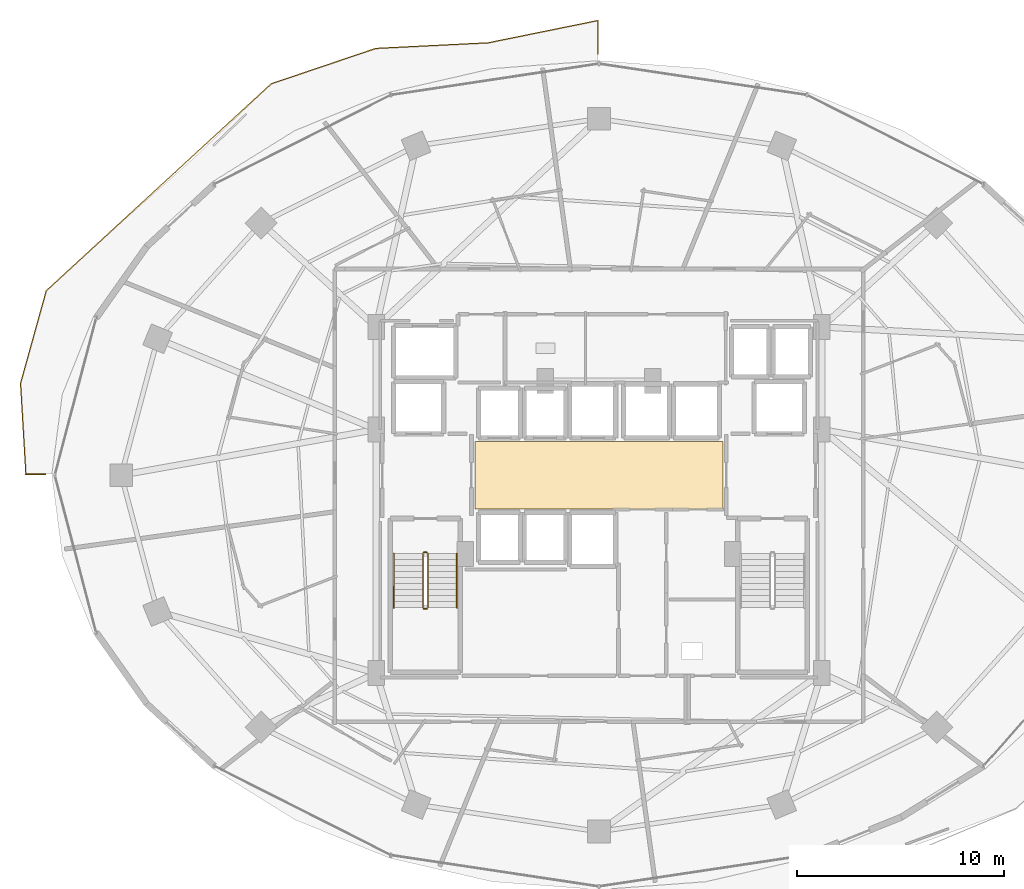
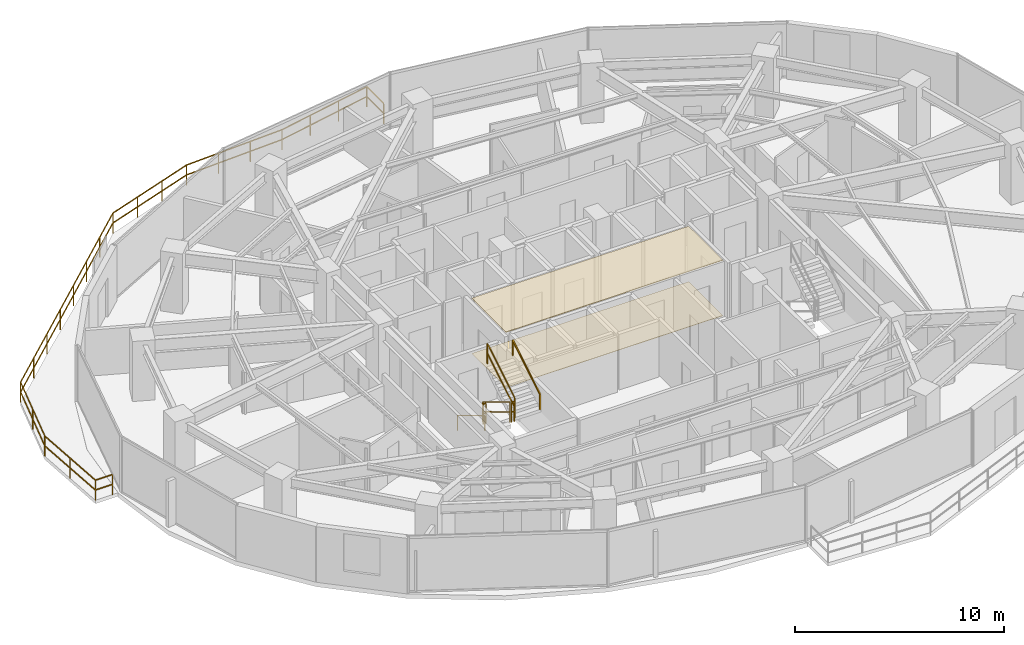
# One storey, part 27 of 30: 8 railings, 2 coverings.
"""IFC4 building model written with IfcOpenShell, lengths in metres."""

from ifc_helpers import new_model, si_unit, direction, frame, origin, origin_2d, place, context, subcontext, project, spatial, polyline, rectangle, outline, extrude, material, layer, layer_set, type_object, element, save


model = new_model("IFC4")

# Units and contexts
model_context = context("Model", 3, precision=1e-05, world=origin(), true_north=direction((0.0, 1.0)))
body_context = subcontext(model_context, "Body", "Model", "MODEL_VIEW")
ifc_project = project(units=[si_unit("LENGTHUNIT", "METRE"), si_unit("AREAUNIT", "SQUARE_METRE"), si_unit("VOLUMEUNIT", "CUBIC_METRE"), si_unit("PLANEANGLEUNIT", "RADIAN"), si_unit("MASSUNIT", "GRAM", prefix="KILO")], contexts=[model_context])

# Site, building, storey
site_placement = place(None, origin())
site = spatial("IfcSite", under=ifc_project, at=site_placement, CompositionType="ELEMENT")
building_placement = place(site_placement, origin())
building = spatial("IfcBuilding", under=site, at=building_placement, Name="Vorneva Point Tower", CompositionType="ELEMENT")
storey_placement = place(building_placement, frame((0.0, 0.0, 92.800048828125)))
storey = spatial("IfcBuildingStorey", under=building, at=storey_placement, Name="L24", CompositionType="ELEMENT", Elevation=92.800048828125)

# Coverings
ifc_material_1 = material(Name="Perforated acoustic aluminium baffle ceiling", Category="aluminium")
ifc_layer_1 = layer(ifc_material_1, 0.030029296875)
ifc_layer_set_1 = layer_set([ifc_layer_1], Name="Perforated acoustic aluminium baffle ceiling")
covering_type_1 = type_object("IfcCoveringType", Name="COV-CEIL-BAF", PredefinedType="CEILING", material=ifc_layer_set_1)
covering_1_placement = place(storey_placement, frame((0.0, 0.0, 3.2099609375)))
element("IfcCovering", 1, at=covering_1_placement, inside=storey, type_object=covering_type_1, Name="L24 Lift Lobby Acoustic Baffle Ceiling", PredefinedType="CEILING", context=body_context, shape_type="SweptSolid", body=[
    extrude(outline(polyline([(32.02001953125, 24.3701171875), (43.97998046875, 24.3701171875), (43.97998046875, 27.6298828125), (32.02001953125, 27.6298828125), (32.02001953125, 24.3701171875)])), origin(), (0.0, 0.0, 1.0), 0.034912109375),
])
ifc_material_2 = material(Name="Acoustic wool hospitality carpet", Category="textile")
ifc_layer_2 = layer(ifc_material_2, 0.01806640625)
ifc_layer_set_2 = layer_set([ifc_layer_2], Name="Acoustic wool hospitality carpet")
covering_type_2 = type_object("IfcCoveringType", Name="COV-FLR-CRP", PredefinedType="FLOORING", material=ifc_layer_set_2)
covering_2_placement = place(storey_placement, frame((0.0, 0.0, -0.005126953125)))
element("IfcCovering", 2, at=covering_2_placement, inside=storey, type_object=covering_type_2, Name="L24 Lift Lobby Floor Finish", PredefinedType="FLOORING", context=body_context, shape_type="SweptSolid", body=[
    extrude(outline(polyline([(32.02001953125, 24.3701171875), (43.97998046875, 24.3701171875), (43.97998046875, 27.6298828125), (32.02001953125, 27.6298828125), (32.02001953125, 24.3701171875)])), origin(), (0.0, 0.0, 1.0), 0.023193359375),
])

# Railings
ifc_material_3 = material(Name="Pale anodised aluminium", Category="aluminium")
railing_type_1 = type_object("IfcRailingType", Name="RL-BAL-1200", PredefinedType="BALUSTRADE", material=ifc_material_3)
railing_1_placement = place(storey_placement, frame((10.34716796875, 26.050048828125, 0.0)))
element("IfcRailing", 3, at=railing_1_placement, inside=storey, type_object=railing_type_1, Name="L24 Wave Balcony Balustrade NW.1", PredefinedType="BALUSTRADE", context=body_context, shape_type="SweptSolid", body=[
    extrude(rectangle(XDim=0.048095703125, YDim=0.048095703125, at=origin_2d()), frame((0.0, 0.0, 1.17578125), z_axis=(1.0, 0.0, 0.0), x_axis=(0.0, 1.0, 0.0)), (0.0, 0.0, 1.0), 0.9365234375),
    extrude(rectangle(XDim=0.048095703125, YDim=0.048095703125, at=origin_2d()), frame((0.0, 0.0, 0.60009765625), z_axis=(1.0, 0.0, 0.0), x_axis=(0.0, 1.0, 0.0)), (0.0, 0.0, 1.0), 0.9365234375),
    extrude(rectangle(XDim=0.0419921875, YDim=0.0419921875, at=origin_2d()), origin(), (0.0, 0.0, 1.0), 1.15185546875),
    extrude(rectangle(XDim=0.0419921875, YDim=0.0419921875, at=origin_2d()), frame((0.9365234375, 0.0, 0.0)), (0.0, 0.0, 1.0), 1.15185546875),
])
railing_2_placement = place(storey_placement, frame((37.949951171875, 46.317138671875, 0.0)))
element("IfcRailing", 4, at=railing_2_placement, inside=storey, type_object=railing_type_1, Name="L24 Wave Balcony Balustrade NW.2", PredefinedType="BALUSTRADE", context=body_context, shape_type="SweptSolid", body=[
    extrude(rectangle(XDim=0.048095703125, YDim=0.048095703125, at=origin_2d()), frame((0.0, 0.0, 1.17578125), z_axis=(0.0, 1.0, 0.0), x_axis=(-1.0, 0.0, 0.0)), (0.0, 0.0, 1.0), 1.62255859375),
    extrude(rectangle(XDim=0.048095703125, YDim=0.048095703125, at=origin_2d()), frame((0.0, 0.0, 0.60009765625), z_axis=(0.0, 1.0, 0.0), x_axis=(-1.0, 0.0, 0.0)), (0.0, 0.0, 1.0), 1.62255859375),
    extrude(rectangle(XDim=0.048095703125, YDim=0.048095703125, at=origin_2d()), frame((0.0, 1.62255859375, 1.17578125), z_axis=(-0.97997049327, -0.199142743578, 0.0), x_axis=(0.199142743578, -0.97997049327, 0.0)), (0.0, 0.0, 1.0), 5.396728515625),
    extrude(rectangle(XDim=0.048095703125, YDim=0.048095703125, at=origin_2d()), frame((0.0, 1.62255859375, 0.60009765625), z_axis=(-0.97997049327, -0.199142743578, 0.0), x_axis=(0.199142743578, -0.97997049327, 0.0)), (0.0, 0.0, 1.0), 5.396728515625),
    extrude(rectangle(XDim=0.048095703125, YDim=0.048095703125, at=origin_2d()), frame((-5.28857421875, 0.5478515625, 1.17578125), z_axis=(-0.998753906669, -0.049906251251, 0.0), x_axis=(0.049906251251, -0.998753906669, 0.0)), (0.0, 0.0, 1.0), 5.43505859375),
    extrude(rectangle(XDim=0.048095703125, YDim=0.048095703125, at=origin_2d()), frame((-5.28857421875, 0.5478515625, 0.60009765625), z_axis=(-0.998753906669, -0.049906251251, 0.0), x_axis=(0.049906251251, -0.998753906669, 0.0)), (0.0, 0.0, 1.0), 5.43505859375),
    extrude(rectangle(XDim=0.048095703125, YDim=0.048095703125, at=origin_2d()), frame((-10.716796875, 0.276611328125, 1.17578125), z_axis=(-0.947317253015, -0.320296771979, 0.0), x_axis=(0.320296771979, -0.947317253015, 0.0)), (0.0, 0.0, 1.0), 5.32421875),
    extrude(rectangle(XDim=0.048095703125, YDim=0.048095703125, at=origin_2d()), frame((-10.716796875, 0.276611328125, 0.60009765625), z_axis=(-0.947317253015, -0.320296771979, 0.0), x_axis=(0.320296771979, -0.947317253015, 0.0)), (0.0, 0.0, 1.0), 5.32421875),
    extrude(rectangle(XDim=0.048095703125, YDim=0.048095703125, at=origin_2d()), frame((-15.760498046875, -1.4287109375, 1.17578125), z_axis=(-0.735947501629, -0.677038606614, 0.0), x_axis=(0.677038606614, -0.735947501629, 0.0)), (0.0, 0.0, 1.0), 14.75390625),
    extrude(rectangle(XDim=0.048095703125, YDim=0.048095703125, at=origin_2d()), frame((-15.760498046875, -1.4287109375, 0.60009765625), z_axis=(-0.735947501629, -0.677038606614, 0.0), x_axis=(0.677038606614, -0.735947501629, 0.0)), (0.0, 0.0, 1.0), 14.75390625),
    extrude(rectangle(XDim=0.048095703125, YDim=0.048095703125, at=origin_2d()), frame((-26.61865234375, -11.417724609375, 1.17578125), z_axis=(-0.267871946418, -0.963454524263, 0.0), x_axis=(0.963454524263, -0.267871946418, 0.0)), (0.0, 0.0, 1.0), 4.63720703125),
    extrude(rectangle(XDim=0.048095703125, YDim=0.048095703125, at=origin_2d()), frame((-26.61865234375, -11.417724609375, 0.60009765625), z_axis=(-0.267871946418, -0.963454524263, 0.0), x_axis=(0.963454524263, -0.267871946418, 0.0)), (0.0, 0.0, 1.0), 4.63720703125),
    extrude(rectangle(XDim=0.048095703125, YDim=0.048095703125, at=origin_2d()), frame((-27.86083984375, -15.885498046875, 1.17578125), z_axis=(0.058793756589, -0.998270150904, 0.0), x_axis=(0.998270150904, 0.058793756589, 0.0)), (0.0, 0.0, 1.0), 4.38916015625),
    extrude(rectangle(XDim=0.048095703125, YDim=0.048095703125, at=origin_2d()), frame((-27.86083984375, -15.885498046875, 0.60009765625), z_axis=(0.058793756589, -0.998270150904, 0.0), x_axis=(0.998270150904, 0.058793756589, 0.0)), (0.0, 0.0, 1.0), 4.38916015625),
    extrude(rectangle(XDim=0.0419921875, YDim=0.0419921875, at=origin_2d()), origin(), (0.0, 0.0, 1.0), 1.15185546875),
    extrude(rectangle(XDim=0.0419921875, YDim=0.0419921875, at=origin_2d()), frame((0.0, 1.62255859375, 0.0)), (0.0, 0.0, 1.0), 1.15185546875),
    extrude(rectangle(XDim=0.0419921875, YDim=0.0419921875, at=origin_2d()), frame((-1.762939453125, 1.264404296875, 0.0)), (0.0, 0.0, 1.0), 1.15185546875),
    extrude(rectangle(XDim=0.0419921875, YDim=0.0419921875, at=origin_2d()), frame((-3.525634765625, 0.906005859375, 0.0)), (0.0, 0.0, 1.0), 1.15185546875),
    extrude(rectangle(XDim=0.0419921875, YDim=0.0419921875, at=origin_2d()), frame((-5.28857421875, 0.5478515625, 0.0)), (0.0, 0.0, 1.0), 1.15185546875),
    extrude(rectangle(XDim=0.0419921875, YDim=0.0419921875, at=origin_2d()), frame((-7.097900390625, 0.45751953125, 0.0)), (0.0, 0.0, 1.0), 1.15185546875),
    extrude(rectangle(XDim=0.0419921875, YDim=0.0419921875, at=origin_2d()), frame((-8.907470703125, 0.366943359375, 0.0)), (0.0, 0.0, 1.0), 1.15185546875),
    extrude(rectangle(XDim=0.0419921875, YDim=0.0419921875, at=origin_2d()), frame((-10.716796875, 0.276611328125, 0.0)), (0.0, 0.0, 1.0), 1.15185546875),
    extrude(rectangle(XDim=0.0419921875, YDim=0.0419921875, at=origin_2d()), frame((-12.39794921875, -0.291748046875, 0.0)), (0.0, 0.0, 1.0), 1.15185546875),
    extrude(rectangle(XDim=0.0419921875, YDim=0.0419921875, at=origin_2d()), frame((-14.079345703125, -0.8603515625, 0.0)), (0.0, 0.0, 1.0), 1.15185546875),
    extrude(rectangle(XDim=0.0419921875, YDim=0.0419921875, at=origin_2d()), frame((-15.760498046875, -1.4287109375, 0.0)), (0.0, 0.0, 1.0), 1.15185546875),
    extrude(rectangle(XDim=0.0419921875, YDim=0.0419921875, at=origin_2d()), frame((-17.311767578125, -2.855712890625, 0.0)), (0.0, 0.0, 1.0), 1.15185546875),
    extrude(rectangle(XDim=0.0419921875, YDim=0.0419921875, at=origin_2d()), frame((-18.86279296875, -4.28271484375, 0.0)), (0.0, 0.0, 1.0), 1.15185546875),
    extrude(rectangle(XDim=0.0419921875, YDim=0.0419921875, at=origin_2d()), frame((-20.4140625, -5.709716796875, 0.0)), (0.0, 0.0, 1.0), 1.15185546875),
    extrude(rectangle(XDim=0.0419921875, YDim=0.0419921875, at=origin_2d()), frame((-21.965087890625, -7.13671875, 0.0)), (0.0, 0.0, 1.0), 1.15185546875),
    extrude(rectangle(XDim=0.0419921875, YDim=0.0419921875, at=origin_2d()), frame((-23.516357421875, -8.563720703125, 0.0)), (0.0, 0.0, 1.0), 1.15185546875),
    extrude(rectangle(XDim=0.0419921875, YDim=0.0419921875, at=origin_2d()), frame((-25.0673828125, -9.99072265625, 0.0)), (0.0, 0.0, 1.0), 1.15185546875),
    extrude(rectangle(XDim=0.0419921875, YDim=0.0419921875, at=origin_2d()), frame((-26.61865234375, -11.417724609375, 0.0)), (0.0, 0.0, 1.0), 1.15185546875),
    extrude(rectangle(XDim=0.0419921875, YDim=0.0419921875, at=origin_2d()), frame((-27.23974609375, -13.651611328125, 0.0)), (0.0, 0.0, 1.0), 1.15185546875),
    extrude(rectangle(XDim=0.0419921875, YDim=0.0419921875, at=origin_2d()), frame((-27.86083984375, -15.885498046875, 0.0)), (0.0, 0.0, 1.0), 1.15185546875),
    extrude(rectangle(XDim=0.0419921875, YDim=0.0419921875, at=origin_2d()), frame((-27.73193359375, -18.076171875, 0.0)), (0.0, 0.0, 1.0), 1.15185546875),
    extrude(rectangle(XDim=0.0419921875, YDim=0.0419921875, at=origin_2d()), frame((-27.602783203125, -20.26708984375, 0.0)), (0.0, 0.0, 1.0), 1.15185546875),
])
ifc_material_4 = material(Name="Brushed stainless steel S304", Category="steel")
railing_type_2 = type_object("IfcRailingType", Name="RL-HND-920", PredefinedType="HANDRAIL", material=ifc_material_4)
railing_3_placement = place(storey_placement, frame((28.10009765625, 22.219970703125, 0.175048828125)))
element("IfcRailing", 5, at=railing_3_placement, inside=storey, type_object=railing_type_2, Name="L24 ST1 stair handrail 1", PredefinedType="HANDRAIL", context=body_context, shape_type="SweptSolid", body=[
    extrude(rectangle(XDim=0.048095703125, YDim=0.048095703125, at=origin_2d()), frame((0.0, 0.0, 0.8759765625), z_axis=(0.0, -0.85618277418, 0.516673066065), x_axis=(1.0, 0.0, 0.0)), (0.0, 0.0, 1.0), 3.04833984375),
    extrude(rectangle(XDim=0.0419921875, YDim=0.0419921875, at=origin_2d()), origin(), (0.0, 0.0, 1.0), 0.851806640625),
    extrude(rectangle(XDim=0.0419921875, YDim=0.0419921875, at=origin_2d()), frame((0.0, -2.60986328125, 1.574951171875)), (0.0, 0.0, 1.0), 0.851806640625),
])
railing_4_placement = place(storey_placement, frame((31.14990234375, 19.610107421875, 1.925048828125)))
element("IfcRailing", 6, at=railing_4_placement, inside=storey, type_object=railing_type_2, Name="L24 ST1 stair handrail 2", PredefinedType="HANDRAIL", context=body_context, shape_type="SweptSolid", body=[
    extrude(rectangle(XDim=0.048095703125, YDim=0.048095703125, at=origin_2d()), frame((0.0, 0.0, 0.8759765625), z_axis=(0.0, 0.85618277418, 0.516673066065), x_axis=(-1.0, 0.0, 0.0)), (0.0, 0.0, 1.0), 3.04833984375),
    extrude(rectangle(XDim=0.0419921875, YDim=0.0419921875, at=origin_2d()), origin(), (0.0, 0.0, 1.0), 0.851806640625),
    extrude(rectangle(XDim=0.0419921875, YDim=0.0419921875, at=origin_2d()), frame((0.0, 2.60986328125, 1.574951171875)), (0.0, 0.0, 1.0), 0.851806640625),
])
railing_type_3 = type_object("IfcRailingType", Name="RL-STG-1100", PredefinedType="GUARDRAIL", material=ifc_material_4)
railing_5_placement = place(storey_placement, frame((29.5, 22.219970703125, 0.175048828125)))
element("IfcRailing", 7, at=railing_5_placement, inside=storey, type_object=railing_type_3, Name="L24 ST1 stair guard 1", PredefinedType="GUARDRAIL", context=body_context, shape_type="SweptSolid", body=[
    extrude(rectangle(XDim=0.048095703125, YDim=0.048095703125, at=origin_2d()), frame((0.0, 0.0, 1.17578125), z_axis=(0.0, -0.85618277418, 0.516673066065), x_axis=(1.0, 0.0, 0.0)), (0.0, 0.0, 1.0), 3.04833984375),
    extrude(rectangle(XDim=0.048095703125, YDim=0.048095703125, at=origin_2d()), frame((0.0, 0.0, 0.60009765625), z_axis=(0.0, -0.85618277418, 0.516673066065), x_axis=(1.0, 0.0, 0.0)), (0.0, 0.0, 1.0), 3.04833984375),
    extrude(rectangle(XDim=0.0419921875, YDim=0.0419921875, at=origin_2d()), origin(), (0.0, 0.0, 1.0), 1.15185546875),
    extrude(rectangle(XDim=0.0419921875, YDim=0.0419921875, at=origin_2d()), frame((0.0, -2.60986328125, 1.574951171875)), (0.0, 0.0, 1.0), 1.15185546875),
])
railing_6_placement = place(storey_placement, frame((29.550048828125, 19.56005859375, 1.75)))
element("IfcRailing", 8, at=railing_6_placement, inside=storey, type_object=railing_type_3, Name="L24 ST1 stair guard 2", PredefinedType="GUARDRAIL", context=body_context, shape_type="SweptSolid", body=[
    extrude(rectangle(XDim=0.048095703125, YDim=0.048095703125, at=origin_2d()), frame((0.0, 0.0, 1.17578125), z_axis=(1.0, 0.0, 0.0), x_axis=(0.0, 1.0, 0.0)), (0.0, 0.0, 1.0), 0.14990234375),
    extrude(rectangle(XDim=0.048095703125, YDim=0.048095703125, at=origin_2d()), frame((0.0, 0.0, 0.60009765625), z_axis=(1.0, 0.0, 0.0), x_axis=(0.0, 1.0, 0.0)), (0.0, 0.0, 1.0), 0.14990234375),
    extrude(rectangle(XDim=0.0419921875, YDim=0.0419921875, at=origin_2d()), origin(), (0.0, 0.0, 1.0), 1.15185546875),
    extrude(rectangle(XDim=0.0419921875, YDim=0.0419921875, at=origin_2d()), frame((0.14990234375, 0.0, 0.0)), (0.0, 0.0, 1.0), 1.15185546875),
])
railing_7_placement = place(storey_placement, frame((29.75, 19.610107421875, 1.925048828125)))
element("IfcRailing", 9, at=railing_7_placement, inside=storey, type_object=railing_type_3, Name="L24 ST1 stair guard 3", PredefinedType="GUARDRAIL", context=body_context, shape_type="SweptSolid", body=[
    extrude(rectangle(XDim=0.048095703125, YDim=0.048095703125, at=origin_2d()), frame((0.0, 0.0, 1.17578125), z_axis=(0.0, 0.85618277418, 0.516673066065), x_axis=(-1.0, 0.0, 0.0)), (0.0, 0.0, 1.0), 3.04833984375),
    extrude(rectangle(XDim=0.048095703125, YDim=0.048095703125, at=origin_2d()), frame((0.0, 0.0, 0.60009765625), z_axis=(0.0, 0.85618277418, 0.516673066065), x_axis=(-1.0, 0.0, 0.0)), (0.0, 0.0, 1.0), 3.04833984375),
    extrude(rectangle(XDim=0.0419921875, YDim=0.0419921875, at=origin_2d()), origin(), (0.0, 0.0, 1.0), 1.15185546875),
    extrude(rectangle(XDim=0.0419921875, YDim=0.0419921875, at=origin_2d()), frame((0.0, 2.60986328125, 1.574951171875)), (0.0, 0.0, 1.0), 1.15185546875),
])
railing_8_placement = place(storey_placement, frame((29.550048828125, 22.27001953125, 0.0)))
element("IfcRailing", 10, at=railing_8_placement, inside=storey, type_object=railing_type_3, Name="L24 ST1 stair guard 4", PredefinedType="GUARDRAIL", context=body_context, shape_type="SweptSolid", body=[
    extrude(rectangle(XDim=0.048095703125, YDim=0.048095703125, at=origin_2d()), frame((0.0, 0.0, 1.17578125), z_axis=(1.0, 0.0, 0.0), x_axis=(0.0, 1.0, 0.0)), (0.0, 0.0, 1.0), 0.14990234375),
    extrude(rectangle(XDim=0.048095703125, YDim=0.048095703125, at=origin_2d()), frame((0.0, 0.0, 0.60009765625), z_axis=(1.0, 0.0, 0.0), x_axis=(0.0, 1.0, 0.0)), (0.0, 0.0, 1.0), 0.14990234375),
    extrude(rectangle(XDim=0.0419921875, YDim=0.0419921875, at=origin_2d()), origin(), (0.0, 0.0, 1.0), 1.15185546875),
    extrude(rectangle(XDim=0.0419921875, YDim=0.0419921875, at=origin_2d()), frame((0.14990234375, 0.0, 0.0)), (0.0, 0.0, 1.0), 1.15185546875),
])

save(model, "model.ifc")
